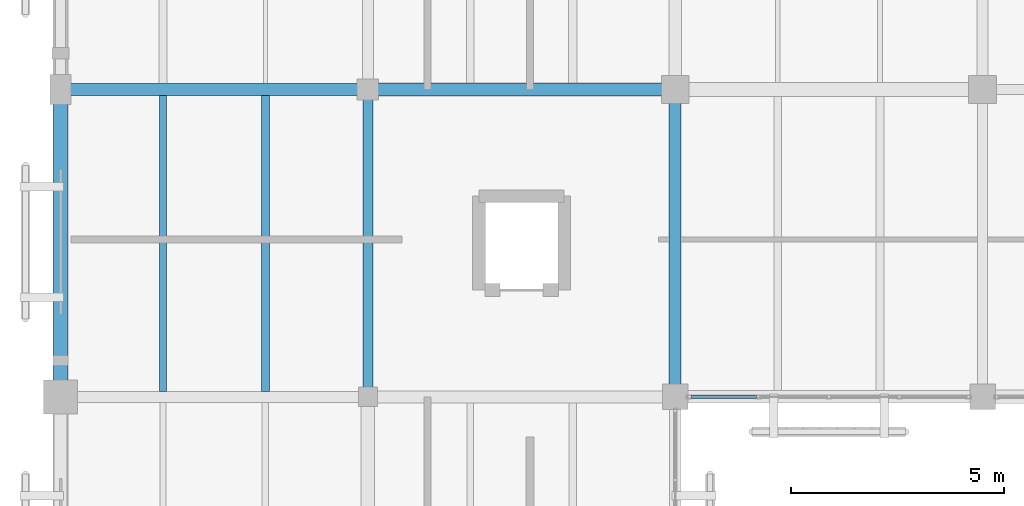
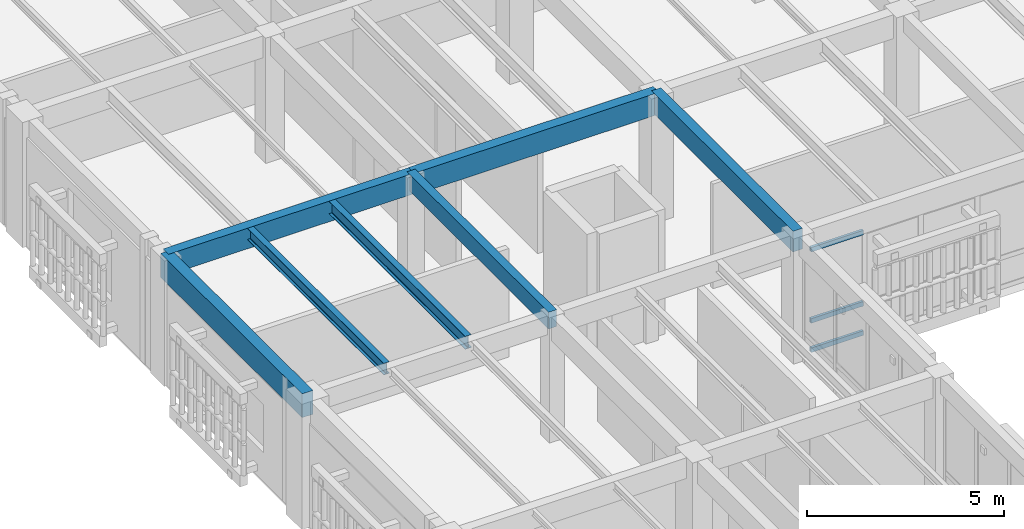
# One storey, part 60 of 170: 7 beams, 3 members, 1 element without a shape of its own.
"""IFC4 building model written with IfcOpenShell, lengths in metres."""

from ifc_helpers import new_model, si_unit, direction, frame, origin, origin_2d, place, context, subcontext, project, spatial, rectangle, hollow_rectangle, i_section, extrude, material, layer, layer_set, material_profile, profile_set, type_object, element, aggregate, save


model = new_model("IFC4")

# Units and contexts
model_context = context("Model", 3, precision=1e-05, world=origin(), true_north=direction((0.0, 1.0)))
body_context = subcontext(model_context, "Body", "Model", "MODEL_VIEW")
ifc_project = project(units=[si_unit("LENGTHUNIT", "METRE"), si_unit("AREAUNIT", "SQUARE_METRE"), si_unit("VOLUMEUNIT", "CUBIC_METRE"), si_unit("PLANEANGLEUNIT", "RADIAN"), si_unit("MASSUNIT", "GRAM", prefix="KILO")], contexts=[model_context])

# Site, building, storey
site_placement = place(None, origin())
site = spatial("IfcSite", under=ifc_project, at=site_placement, CompositionType="ELEMENT")
building_placement = place(site_placement, origin())
building = spatial("IfcBuilding", under=site, at=building_placement, Name="Mazaris Harbour Polytechnic", CompositionType="ELEMENT")
storey_placement = place(building_placement, frame((0.0, 0.0, 5.39990234375)))
storey = spatial("IfcBuildingStorey", under=building, at=storey_placement, Name="L01", CompositionType="ELEMENT", Elevation=5.39990234375)

# Curtain wall, members
ifc_material_1 = material(Name="Anodised Bronze Aluminium and Low-E Glass", Category="aluminium")
ifc_layer = layer(ifc_material_1, 0.159912109375, Name="Anodised Bronze Aluminium and Low-E Glass")
ifc_layer_set = layer_set([ifc_layer], Name="Anodised Bronze Aluminium and Low-E Glass")
curtain_wall_type = type_object("IfcCurtainWallType", Name="Cloister Court Curtain Wall", PredefinedType="NOTDEFINED", material=ifc_layer_set)
curtain_wall_placement = place(storey_placement, origin())
curtain_wall = element("IfcCurtainWall", 1, at=curtain_wall_placement, inside=storey, type_object=curtain_wall_type, Name="V4 L01 Curtain Wall 118", PredefinedType="NOTDEFINED")
ifc_material_2 = material(Name="Anodised Bronze Steel S355", Category="steel")
ifc_material_profile_1 = material_profile(ifc_material_2, hollow_rectangle(XDim=0.080078125, YDim=0.139892578125, WallThickness=0.00634765625, at=origin_2d()), Name="RHS 80x140x6.3")
ifc_profile_set_1 = profile_set([ifc_material_profile_1], Name="Anodised Bronze Steel S355")
member_type = type_object("IfcMemberType", Name="Curtain Transom RHS80x140", PredefinedType="USERDEFINED", material=ifc_profile_set_1)
member_1_placement = place(storey_placement, frame((16.305908203125, 68.39990234375, 0.0400390625), z_axis=(-1.0, 0.0, 0.0), x_axis=(0.0, -1.0, 0.0)))
member_1 = element("IfcMember", 2, at=member_1_placement, type_object=member_type, Name="CW-02 transom 4.1", ObjectType="TRANSOM", PredefinedType="USERDEFINED", context=body_context, shape_type="SweptSolid", body=[
    extrude(hollow_rectangle(XDim=0.080078125, YDim=0.139892578125, WallThickness=0.00634765625, at=origin_2d()), origin(), (0.0, 0.0, 1.0), 1.533935546875),
])
member_2_placement = place(storey_placement, frame((16.305908203125, 68.39990234375, 0.9501953125), z_axis=(-1.0, 0.0, 0.0), x_axis=(0.0, -1.0, 0.0)))
member_2 = element("IfcMember", 3, at=member_2_placement, type_object=member_type, Name="CW-02 transom 4.2", ObjectType="TRANSOM", PredefinedType="USERDEFINED", context=body_context, shape_type="SweptSolid", body=[
    extrude(hollow_rectangle(XDim=0.080078125, YDim=0.139892578125, WallThickness=0.00634765625, at=origin_2d()), origin(), (0.0, 0.0, 1.0), 1.533935546875),
])
member_3_placement = place(storey_placement, frame((16.305908203125, 68.39990234375, 3.16015625), z_axis=(-1.0, 0.0, 0.0), x_axis=(0.0, -1.0, 0.0)))
member_3 = element("IfcMember", 4, at=member_3_placement, type_object=member_type, Name="CW-02 transom 4.3", ObjectType="TRANSOM", PredefinedType="USERDEFINED", context=body_context, shape_type="SweptSolid", body=[
    extrude(hollow_rectangle(XDim=0.080078125, YDim=0.139892578125, WallThickness=0.00634765625, at=origin_2d()), origin(), (0.0, 0.0, 1.0), 1.533935546875),
])
aggregate(curtain_wall, [member_1, member_2, member_3])

# Beams
ifc_material_3 = material(Name="Glulam GL32h", Category="wood")
ifc_material_profile_2 = material_profile(ifc_material_3, rectangle(XDim=0.239990234375, YDim=0.52001953125, at=origin_2d()), Name="RECT240x520")
ifc_profile_set_2 = profile_set([ifc_material_profile_2], Name="Glulam GL32h")
beam_type_1 = type_object("IfcBeamType", Name="Glulam Girder 240x520", PredefinedType="BEAM", material=ifc_profile_set_2)
beam_1_placement = place(storey_placement, frame((7.199951171875, 68.39990234375, 3.630126953125), z_axis=(0.0, 1.0, 0.0), x_axis=(-1.0, 0.0, 0.0)))
element("IfcBeam", 5, at=beam_1_placement, inside=storey, type_object=beam_type_1, Name="V4 L01 Tie Girder 1715", PredefinedType="BEAM", context=body_context, shape_type="SweptSolid", body=[
    extrude(rectangle(XDim=0.239990234375, YDim=0.52001953125, at=origin_2d()), origin(), (0.0, 0.0, 1.0), 7.2001953125),
])
ifc_material_4 = material(Name="Glulam GL32h", Category="wood")
ifc_material_profile_3 = material_profile(ifc_material_4, rectangle(XDim=0.280029296875, YDim=0.639892578125, at=origin_2d()), Name="RECT280x640")
ifc_profile_set_3 = profile_set([ifc_material_profile_3], Name="Glulam GL32h")
beam_type_2 = type_object("IfcBeamType", Name="Glulam Girder 280x640", PredefinedType="BEAM", material=ifc_profile_set_3)
beam_2_placement = place(storey_placement, frame((0.0, 75.60009765625, 3.570068359375), z_axis=(1.0, 0.0, 0.0), x_axis=(0.0, 1.0, 0.0)))
element("IfcBeam", 6, at=beam_2_placement, inside=storey, type_object=beam_type_2, Name="V4 L01 Girder 1672", PredefinedType="BEAM", context=body_context, shape_type="SweptSolid", body=[
    extrude(rectangle(XDim=0.280029296875, YDim=0.639892578125, at=origin_2d()), origin(), (0.0, 0.0, 1.0), 7.199951171875),
])
beam_3_placement = place(storey_placement, frame((14.39990234375, 68.39990234375, 3.570068359375), z_axis=(0.0, 1.0, 0.0), x_axis=(-1.0, 0.0, 0.0)))
element("IfcBeam", 7, at=beam_3_placement, inside=storey, type_object=beam_type_2, Name="V4 L01 Tie Girder 1727", PredefinedType="BEAM", context=body_context, shape_type="SweptSolid", body=[
    extrude(rectangle(XDim=0.280029296875, YDim=0.639892578125, at=origin_2d()), origin(), (0.0, 0.0, 1.0), 7.2001953125),
])
ifc_material_5 = material(Name="Glulam GL32h", Category="wood")
ifc_material_profile_4 = material_profile(ifc_material_5, rectangle(XDim=0.300048828125, YDim=0.679931640625, at=origin_2d()), Name="RECT300x680")
ifc_profile_set_4 = profile_set([ifc_material_profile_4], Name="Glulam GL32h")
beam_type_3 = type_object("IfcBeamType", Name="Glulam Girder 300x680", PredefinedType="BEAM", material=ifc_profile_set_4)
beam_4_placement = place(storey_placement, frame((7.199951171875, 75.60009765625, 3.550048828125), z_axis=(1.0, 0.0, 0.0), x_axis=(0.0, 1.0, 0.0)))
element("IfcBeam", 8, at=beam_4_placement, inside=storey, type_object=beam_type_3, Name="V4 L01 Girder 1673", PredefinedType="BEAM", context=body_context, shape_type="SweptSolid", body=[
    extrude(rectangle(XDim=0.300048828125, YDim=0.679931640625, at=origin_2d()), origin(), (0.0, 0.0, 1.0), 7.199951171875),
])
ifc_material_6 = material(Name="Glulam GL32h", Category="wood")
ifc_material_profile_5 = material_profile(ifc_material_6, rectangle(XDim=0.320068359375, YDim=0.739990234375, at=origin_2d()), Name="RECT320x740")
ifc_profile_set_5 = profile_set([ifc_material_profile_5], Name="Glulam GL32h")
beam_type_4 = type_object("IfcBeamType", Name="Glulam Girder 320x740 Exterior", PredefinedType="BEAM", material=ifc_profile_set_5)
beam_5_placement = place(storey_placement, frame((0.0, 68.39990234375, 3.52001953125), z_axis=(0.0, 1.0, 0.0), x_axis=(-1.0, 0.0, 0.0)))
element("IfcBeam", 9, at=beam_5_placement, inside=storey, type_object=beam_type_4, Name="V4 L01 Tie Girder 1704", PredefinedType="BEAM", context=body_context, shape_type="SweptSolid", body=[
    extrude(rectangle(XDim=0.320068359375, YDim=0.739990234375, at=origin_2d()), origin(), (0.0, 0.0, 1.0), 7.2001953125),
])
ifc_material_7 = material(Name="Steel S355", Category="steel")
ifc_material_profile_6 = material_profile(ifc_material_7, i_section(OverallWidth=0.169921875, OverallDepth=0.360107421875, WebThickness=0.008056640625, FlangeThickness=0.0126953125, FilletRadius=0.01806640625, at=origin_2d()), Name="IPE 360")
ifc_profile_set_6 = profile_set([ifc_material_profile_6], Name="Steel S355")
beam_type_5 = type_object("IfcBeamType", Name="Steel Joist IPE360", PredefinedType="JOIST", material=ifc_profile_set_6)
beam_6_placement = place(storey_placement, frame((2.39990234375, 68.530029296875, 3.710205078125), z_axis=(0.0, 1.0, 0.0), x_axis=(-1.0, 0.0, 0.0)))
element("IfcBeam", 10, at=beam_6_placement, inside=storey, type_object=beam_type_5, Name="V4 L01 Floor Joist 1789", PredefinedType="JOIST", context=body_context, shape_type="SweptSolid", body=[
    extrude(i_section(OverallWidth=0.169921875, OverallDepth=0.360107421875, WebThickness=0.008056640625, FlangeThickness=0.0126953125, FilletRadius=0.01806640625, at=origin_2d()), origin(), (0.0, 0.0, 1.0), 6.929931640625),
])
ifc_material_8 = material(Name="Steel S355", Category="steel")
ifc_material_profile_7 = material_profile(ifc_material_8, i_section(OverallWidth=0.179931640625, OverallDepth=0.39990234375, WebThickness=0.008544921875, FlangeThickness=0.013427734375, FilletRadius=0.02099609375, at=origin_2d()), Name="IPE 400")
ifc_profile_set_7 = profile_set([ifc_material_profile_7], Name="Steel S355")
beam_type_6 = type_object("IfcBeamType", Name="Steel Joist IPE400", PredefinedType="JOIST", material=ifc_profile_set_7)
beam_7_placement = place(storey_placement, frame((4.800048828125, 68.530029296875, 3.690185546875), z_axis=(0.0, 1.0, 0.0), x_axis=(-1.0, 0.0, 0.0)))
element("IfcBeam", 11, at=beam_7_placement, inside=storey, type_object=beam_type_6, Name="V4 L01 Floor Joist 1790", PredefinedType="JOIST", context=body_context, shape_type="SweptSolid", body=[
    extrude(i_section(OverallWidth=0.179931640625, OverallDepth=0.39990234375, WebThickness=0.008544921875, FlangeThickness=0.013427734375, FilletRadius=0.02099609375, at=origin_2d()), origin(), (0.0, 0.0, 1.0), 6.929931640625),
])

save(model, "model.ifc")
